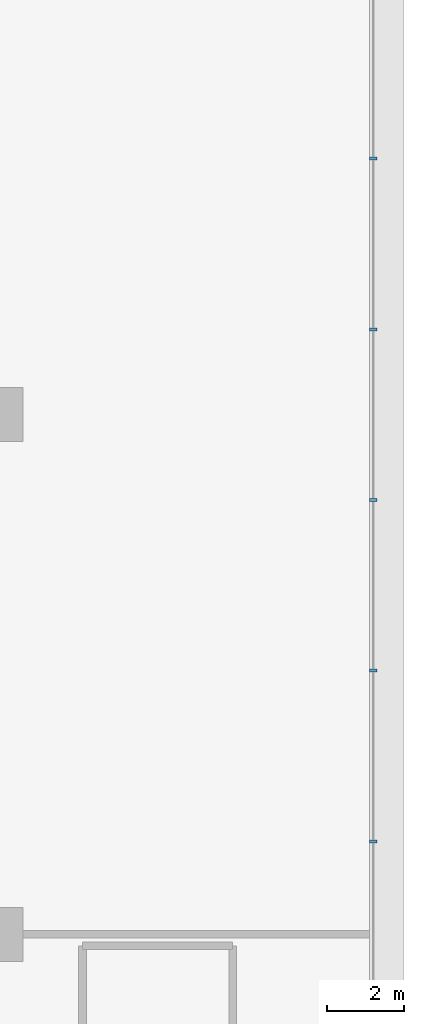
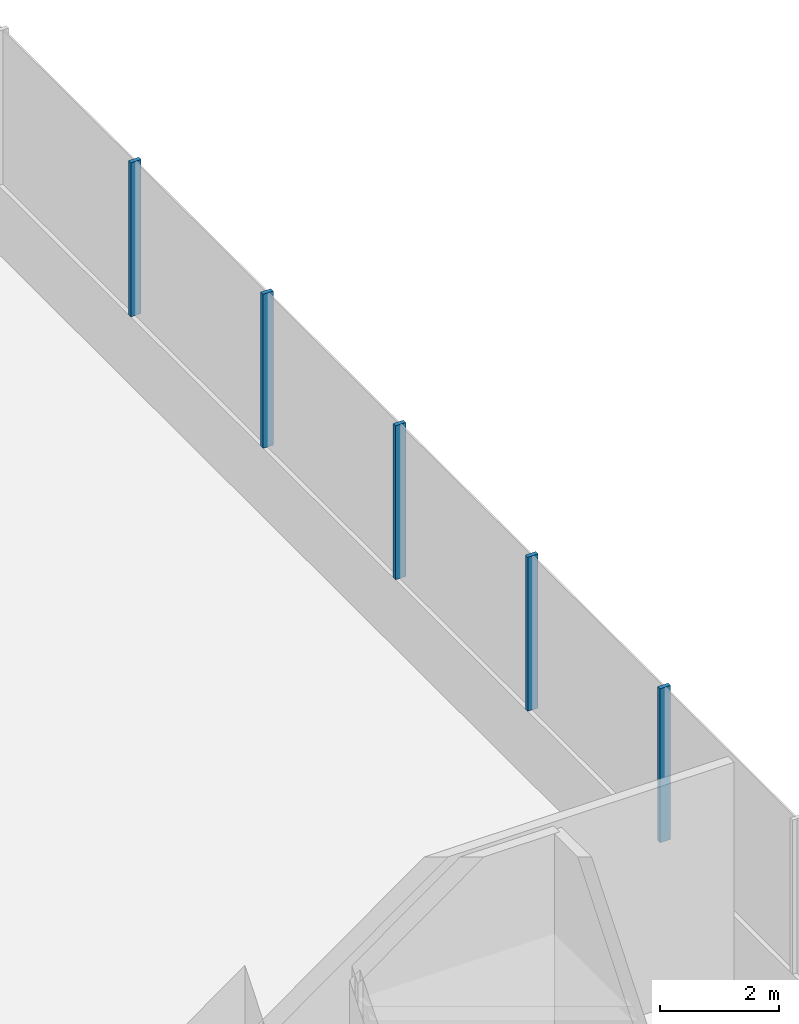
# One storey, part 11 of 38: 5 members, 1 element without a shape of its own.
"""IFC4 building model written with IfcOpenShell, lengths in metres."""

from ifc_helpers import new_model, si_unit, direction, frame, origin, origin_2d, place, context, subcontext, project, spatial, rectangle, extrude, material, layer, layer_set, material_profile, profile_set, type_object, element, aggregate, save


model = new_model("IFC4")

# Units and contexts
model_context = context("Model", 3, precision=1e-05, world=origin(), true_north=direction((0.0, 1.0)))
body_context = subcontext(model_context, "Body", "Model", "MODEL_VIEW")
ifc_project = project(units=[si_unit("LENGTHUNIT", "METRE"), si_unit("AREAUNIT", "SQUARE_METRE"), si_unit("VOLUMEUNIT", "CUBIC_METRE"), si_unit("PLANEANGLEUNIT", "RADIAN"), si_unit("MASSUNIT", "GRAM", prefix="KILO")], contexts=[model_context])

# Site, building, storey
site_placement = place(None, origin())
site = spatial("IfcSite", under=ifc_project, at=site_placement, CompositionType="ELEMENT")
building_placement = place(site_placement, origin())
building = spatial("IfcBuilding", under=site, at=building_placement, Name="Tamarind Cross Interchange Tower", CompositionType="ELEMENT")
storey_placement = place(building_placement, frame((0.0, 0.0, 20.0)))
storey = spatial("IfcBuildingStorey", under=building, at=storey_placement, Name="L03", CompositionType="ELEMENT", Elevation=20.0)

# Curtain wall, members
ifc_material = material(Name="Aluminium 6063-T6", Category="aluminium")
ifc_layer = layer(ifc_material, 0.199951171875)
ifc_layer_set = layer_set([ifc_layer], Name="Aluminium 6063-T6")
curtain_wall_type = type_object("IfcCurtainWallType", Name="Podium shopfront and station curtain wall", PredefinedType="NOTDEFINED", material=ifc_layer_set)
curtain_wall_placement = place(storey_placement, origin())
curtain_wall = element("IfcCurtainWall", 1, at=curtain_wall_placement, inside=storey, type_object=curtain_wall_type, Name="CWS-L03-00", PredefinedType="NOTDEFINED")
ifc_material_profile = material_profile(ifc_material, rectangle(XDim=0.080078125, YDim=0.199951171875, at=origin_2d()), Name="Mullion CW3")
ifc_profile_set = profile_set([ifc_material_profile], Name="Aluminium 6063-T6")
member_type = type_object("IfcMemberType", Name="Mullion CW3", PredefinedType="MULLION", material=ifc_profile_set)
member_1_placement = place(storey_placement, frame((63.800048828125, -11.08349609375, 1.39990234375), z_axis=(0.0, 0.0, 1.0), x_axis=(0.0, 1.0, 0.0)))
member_1 = element("IfcMember", 2, at=member_1_placement, type_object=member_type, Name="CWM-L03-00-09", PredefinedType="MULLION", context=body_context, shape_type="SweptSolid", body=[
    extrude(rectangle(XDim=0.080078125, YDim=0.199951171875, at=origin_2d()), origin(), (0.0, 0.0, 1.0), 3.150146484375),
])
member_2_placement = place(storey_placement, frame((63.800048828125, -6.650146484375, 1.39990234375), z_axis=(0.0, 0.0, 1.0), x_axis=(0.0, 1.0, 0.0)))
member_2 = element("IfcMember", 3, at=member_2_placement, type_object=member_type, Name="CWM-L03-00-10", PredefinedType="MULLION", context=body_context, shape_type="SweptSolid", body=[
    extrude(rectangle(XDim=0.080078125, YDim=0.199951171875, at=origin_2d()), origin(), (0.0, 0.0, 1.0), 3.150146484375),
])
member_3_placement = place(storey_placement, frame((63.800048828125, -2.216796875, 1.39990234375), z_axis=(0.0, 0.0, 1.0), x_axis=(0.0, 1.0, 0.0)))
member_3 = element("IfcMember", 4, at=member_3_placement, type_object=member_type, Name="CWM-L03-00-11", PredefinedType="MULLION", context=body_context, shape_type="SweptSolid", body=[
    extrude(rectangle(XDim=0.080078125, YDim=0.199951171875, at=origin_2d()), origin(), (0.0, 0.0, 1.0), 3.150146484375),
])
member_4_placement = place(storey_placement, frame((63.800048828125, 2.216796875, 1.39990234375), z_axis=(0.0, 0.0, 1.0), x_axis=(0.0, 1.0, 0.0)))
member_4 = element("IfcMember", 5, at=member_4_placement, type_object=member_type, Name="CWM-L03-00-12", PredefinedType="MULLION", context=body_context, shape_type="SweptSolid", body=[
    extrude(rectangle(XDim=0.080078125, YDim=0.199951171875, at=origin_2d()), origin(), (0.0, 0.0, 1.0), 3.150146484375),
])
member_5_placement = place(storey_placement, frame((63.800048828125, 6.650146484375, 1.39990234375), z_axis=(0.0, 0.0, 1.0), x_axis=(0.0, 1.0, 0.0)))
member_5 = element("IfcMember", 6, at=member_5_placement, type_object=member_type, Name="CWM-L03-00-13", PredefinedType="MULLION", context=body_context, shape_type="SweptSolid", body=[
    extrude(rectangle(XDim=0.080078125, YDim=0.199951171875, at=origin_2d()), origin(), (0.0, 0.0, 1.0), 3.150146484375),
])
aggregate(curtain_wall, [member_1, member_2, member_3, member_4, member_5])

save(model, "model.ifc")
